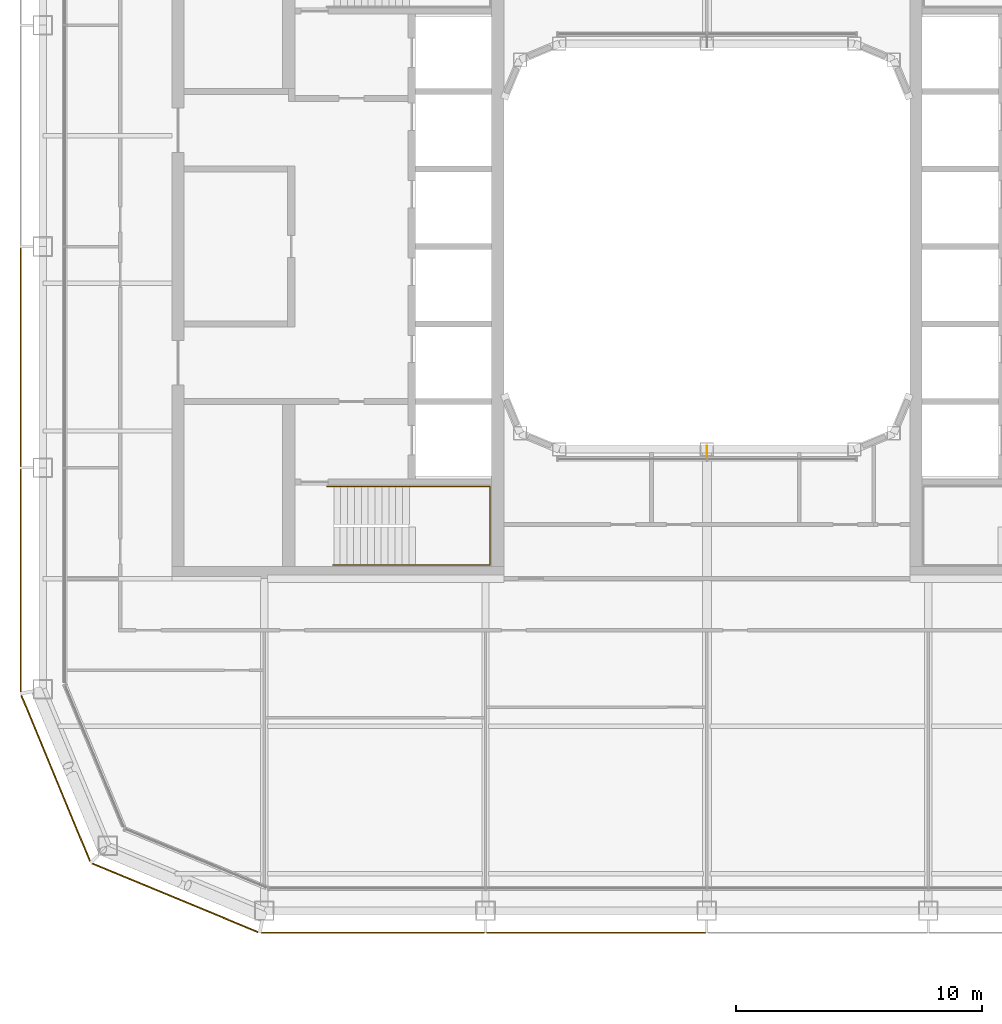
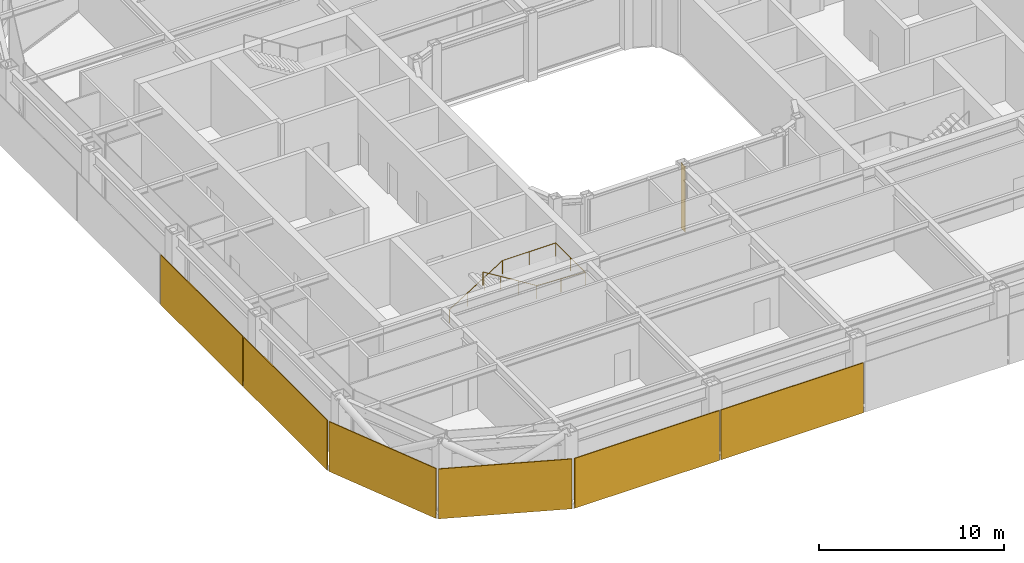
# One storey, part 19 of 23: 6 coverings, 1 railing, 1 shading device.
"""IFC4 building model written with IfcOpenShell, lengths in metres."""

from ifc_helpers import new_model, si_unit, direction, frame, origin, origin_2d, place, context, subcontext, project, spatial, rectangle, circle, extrude, material, layer, layer_set, type_object, element, save


model = new_model("IFC4")

# Units and contexts
model_context = context("Model", 3, precision=1e-05, world=origin(), true_north=direction((0.0, 1.0)))
body_context = subcontext(model_context, "Body", "Model", "MODEL_VIEW")
ifc_project = project(units=[si_unit("LENGTHUNIT", "METRE"), si_unit("AREAUNIT", "SQUARE_METRE"), si_unit("VOLUMEUNIT", "CUBIC_METRE"), si_unit("PLANEANGLEUNIT", "RADIAN"), si_unit("MASSUNIT", "GRAM", prefix="KILO")], contexts=[model_context])

# Site, building, storey
site_placement = place(None, origin())
site = spatial("IfcSite", under=ifc_project, at=site_placement, CompositionType="ELEMENT")
building_placement = place(site_placement, origin())
building = spatial("IfcBuilding", under=site, at=building_placement, Name="Siwar Civic Tower", CompositionType="ELEMENT")
storey_placement = place(building_placement, frame((0.0, 0.0, 237.699951171875)))
storey = spatial("IfcBuildingStorey", under=building, at=storey_placement, Name="L51", CompositionType="ELEMENT", Elevation=237.699951171875)

# Railing
ifc_material_1 = material(Name="Stainless steel", Category="steel")
railing_type = type_object("IfcRailingType", Name="CORE-STAIR-HANDRAIL", PredefinedType="HANDRAIL", material=ifc_material_1)
railing_placement = place(storey_placement, frame((-15.449951171875, -9.758056640625, 0.173095703125)))
element("IfcRailing", 1, at=railing_placement, inside=storey, type_object=railing_type, Name="Stair handrail ST2", PredefinedType="HANDRAIL", context=body_context, shape_type="SweptSolid", body=[
    extrude(circle(Radius=0.02001953125, at=origin_2d()), frame((0.0, 0.0, 0.8798828125), z_axis=(0.847063342986, 0.0, 0.531491950051), x_axis=(0.0, 1.0, 0.0)), (0.0, 0.0, 1.0), 3.90771484375),
    extrude(circle(Radius=0.02001953125, at=origin_2d()), frame((3.31005859375, 0.0, 2.956787109375), z_axis=(1.0, 0.0, 0.0), x_axis=(0.0, 1.0, 0.0)), (0.0, 0.0, 1.0), 3.331787109375),
    extrude(circle(Radius=0.02001953125, at=origin_2d()), frame((6.641845703125, 0.0, 2.956787109375), z_axis=(0.0, -1.0, 0.0), x_axis=(1.0, 0.0, 0.0)), (0.0, 0.0, 1.0), 3.183837890625),
    extrude(circle(Radius=0.02001953125, at=origin_2d()), frame((6.641845703125, -3.183837890625, 2.956787109375), z_axis=(-0.99837434197, 0.0, 0.056997134106), x_axis=(0.0, -1.0, 0.0)), (0.0, 0.0, 1.0), 3.036865234375),
    extrude(circle(Radius=0.02001953125, at=origin_2d()), frame((3.60986328125, -3.183837890625, 3.1298828125), z_axis=(-0.850606129759, 0.0, 0.525803396734), x_axis=(0.0, -1.0, 0.0)), (0.0, 0.0, 1.0), 3.949951171875),
    extrude(circle(Radius=0.02001953125, at=origin_2d()), origin(), (0.0, 0.0, 1.0), 0.85986328125),
    extrude(circle(Radius=0.02001953125, at=origin_2d()), frame((1.103271484375, 0.0, 0.6923828125)), (0.0, 0.0, 1.0), 0.85986328125),
    extrude(circle(Radius=0.02001953125, at=origin_2d()), frame((2.206787109375, 0.0, 1.384521484375)), (0.0, 0.0, 1.0), 0.85986328125),
    extrude(circle(Radius=0.02001953125, at=origin_2d()), frame((3.31005859375, 0.0, 2.076904296875)), (0.0, 0.0, 1.0), 0.85986328125),
    extrude(circle(Radius=0.02001953125, at=origin_2d()), frame((4.97607421875, 0.0, 2.076904296875)), (0.0, 0.0, 1.0), 0.85986328125),
    extrude(circle(Radius=0.02001953125, at=origin_2d()), frame((6.641845703125, 0.0, 2.076904296875)), (0.0, 0.0, 1.0), 0.85986328125),
    extrude(circle(Radius=0.02001953125, at=origin_2d()), frame((6.641845703125, -1.591796875, 2.076904296875)), (0.0, 0.0, 1.0), 0.85986328125),
    extrude(circle(Radius=0.02001953125, at=origin_2d()), frame((6.641845703125, -3.183837890625, 2.076904296875)), (0.0, 0.0, 1.0), 0.85986328125),
    extrude(circle(Radius=0.02001953125, at=origin_2d()), frame((5.1259765625, -3.183837890625, 2.16357421875)), (0.0, 0.0, 1.0), 0.85986328125),
    extrude(circle(Radius=0.02001953125, at=origin_2d()), frame((3.60986328125, -3.183837890625, 2.25)), (0.0, 0.0, 1.0), 0.85986328125),
    extrude(circle(Radius=0.02001953125, at=origin_2d()), frame((2.489990234375, -3.183837890625, 2.9423828125)), (0.0, 0.0, 1.0), 0.85986328125),
    extrude(circle(Radius=0.02001953125, at=origin_2d()), frame((1.369873046875, -3.183837890625, 3.634521484375)), (0.0, 0.0, 1.0), 0.85986328125),
    extrude(circle(Radius=0.02001953125, at=origin_2d()), frame((0.25, -3.183837890625, 4.326904296875)), (0.0, 0.0, 1.0), 0.85986328125),
])

# Shading device
ifc_material_2 = material(Name="Aluminium 6063-T6", Category="aluminium")
ifc_layer_1 = layer(ifc_material_2, 0.02001953125)
ifc_layer_set_1 = layer_set([ifc_layer_1], Name="Aluminium 6063-T6")
shading_device_type = type_object("IfcShadingDeviceType", Name="ENV-FIN", PredefinedType="JALOUSIE", material=ifc_layer_set_1)
shading_device_placement = place(storey_placement, frame((0.0, -8.320068359375, 0.0), z_axis=(0.0, 0.0, 1.0), x_axis=(1.0, 0.0, 0.0)))
element("IfcShadingDevice", 2, at=shading_device_placement, inside=storey, type_object=shading_device_type, Name="SUNSHADE fin WS 1", PredefinedType="JALOUSIE", context=body_context, shape_type="SweptSolid", body=[
    extrude(rectangle(XDim=0.02001953125, YDim=0.449951171875, at=origin_2d()), origin(), (0.0, 0.0, 1.0), 4.35009765625),
])

# Coverings
ifc_material_3 = material(Name="Perforated aluminium cassette, pale metal", Category="aluminium")
ifc_layer_2 = layer(ifc_material_3, 0.050048828125)
ifc_layer_set_2 = layer_set([ifc_layer_2], Name="Perforated aluminium cassette, pale metal")
covering_type_1 = type_object("IfcCoveringType", Name="ENV-OUTER SKIN OS-3", PredefinedType="CLADDING", material=ifc_layer_set_2)
covering_1_placement = place(storey_placement, frame((-27.89990234375, -4.5, -0.14990234375), z_axis=(0.0, 0.0, 1.0), x_axis=(0.0, -1.0, 0.0)))
element("IfcCovering", 3, at=covering_1_placement, inside=storey, type_object=covering_type_1, Name="OUTER SKIN OS-3 W 3", PredefinedType="CLADDING", context=body_context, shape_type="SweptSolid", body=[
    extrude(rectangle(XDim=8.89990234375, YDim=0.050048828125, at=origin_2d()), origin(), (0.0, 0.0, 1.0), 3.300048828125),
])
covering_2_placement = place(storey_placement, frame((-27.89990234375, -13.57958984375, -0.14990234375), z_axis=(0.0, 0.0, 1.0), x_axis=(0.0, -1.0, 0.0)))
element("IfcCovering", 4, at=covering_2_placement, inside=storey, type_object=covering_type_1, Name="OUTER SKIN OS-3 W 4", PredefinedType="CLADDING", context=body_context, shape_type="SweptSolid", body=[
    extrude(rectangle(XDim=9.05908203125, YDim=0.050048828125, at=origin_2d()), origin(), (0.0, 0.0, 1.0), 3.300048828125),
])
ifc_material_4 = material(Name="Perforated aluminium cassette, pale metal", Category="aluminium")
ifc_layer_3 = layer(ifc_material_4, 0.054931640625)
ifc_layer_set_3 = layer_set([ifc_layer_3], Name="Perforated aluminium cassette, pale metal")
covering_type_2 = type_object("IfcCoveringType", Name="ENV-OUTER SKIN OS-4", PredefinedType="CLADDING", material=ifc_layer_set_3)
covering_3_placement = place(storey_placement, frame((-13.57958984375, -27.89990234375, -0.14990234375), z_axis=(0.0, 0.0, 1.0), x_axis=(1.0, 0.0, 0.0)))
element("IfcCovering", 5, at=covering_3_placement, inside=storey, type_object=covering_type_2, Name="OUTER SKIN OS-4 S 1", PredefinedType="CLADDING", context=body_context, shape_type="SweptSolid", body=[
    extrude(rectangle(XDim=9.05908203125, YDim=0.054931640625, at=origin_2d()), origin(), (0.0, 0.0, 1.0), 3.300048828125),
])
covering_4_placement = place(storey_placement, frame((-4.5, -27.89990234375, -0.14990234375), z_axis=(0.0, 0.0, 1.0), x_axis=(1.0, 0.0, 0.0)))
element("IfcCovering", 6, at=covering_4_placement, inside=storey, type_object=covering_type_2, Name="OUTER SKIN OS-4 S 2", PredefinedType="CLADDING", context=body_context, shape_type="SweptSolid", body=[
    extrude(rectangle(XDim=8.89990234375, YDim=0.054931640625, at=origin_2d()), origin(), (0.0, 0.0, 1.0), 3.300048828125),
])
for number, where, z_axis, x_axis, name in (
    (7, (-26.476318359375, -21.615966796875, -0.14990234375), (0.0, 0.0, 1.0), (0.382683432365, -0.923879532511, 0.0), "OUTER SKIN OS-4 SW1 1"),
    (8, (-21.615966796875, -26.476318359375, -0.14990234375), (0.0, 0.0, 1.0), (0.923879532511, -0.382683432365, 0.0), "OUTER SKIN OS-4 SW2 1"),
):
    element("IfcCovering", number, at=place(storey_placement, frame(where, z_axis=z_axis, x_axis=x_axis)), inside=storey, type_object=covering_type_2, Name=name, PredefinedType="CLADDING", context=body_context, shape_type="SweptSolid", body=[
        extrude(rectangle(XDim=7.300048828125, YDim=0.054931640625, at=origin_2d()), origin(), (0.0, 0.0, 1.0), 3.300048828125),
    ])

save(model, "model.ifc")
